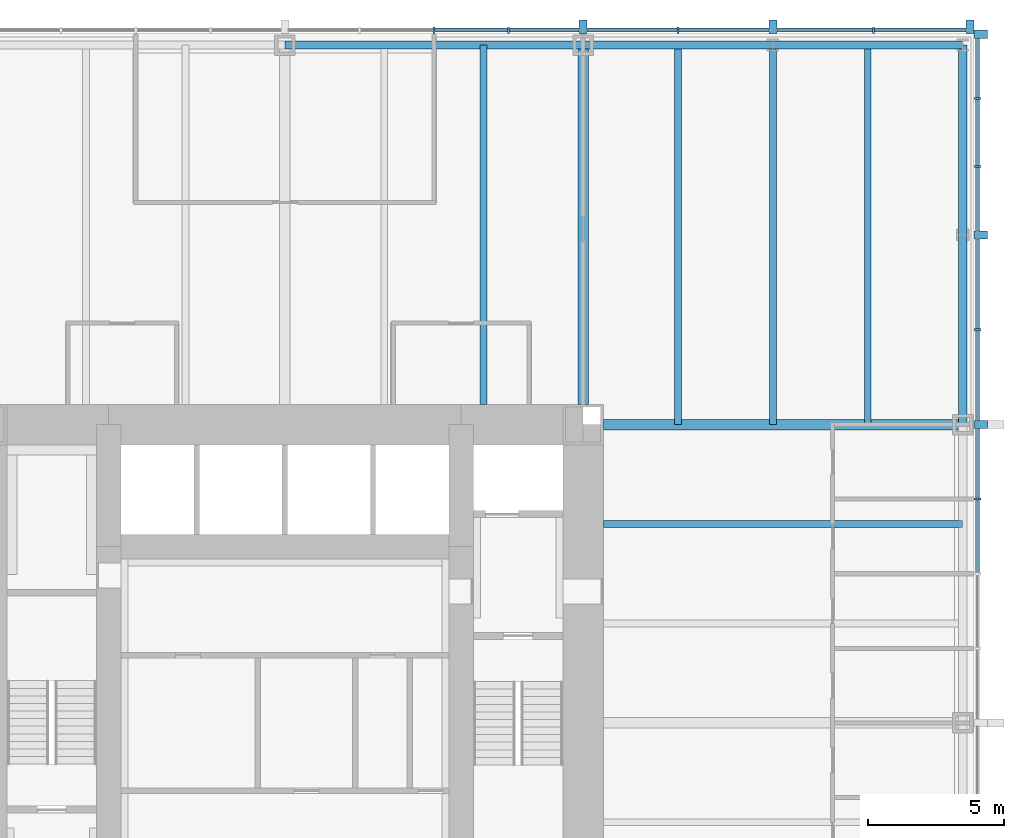
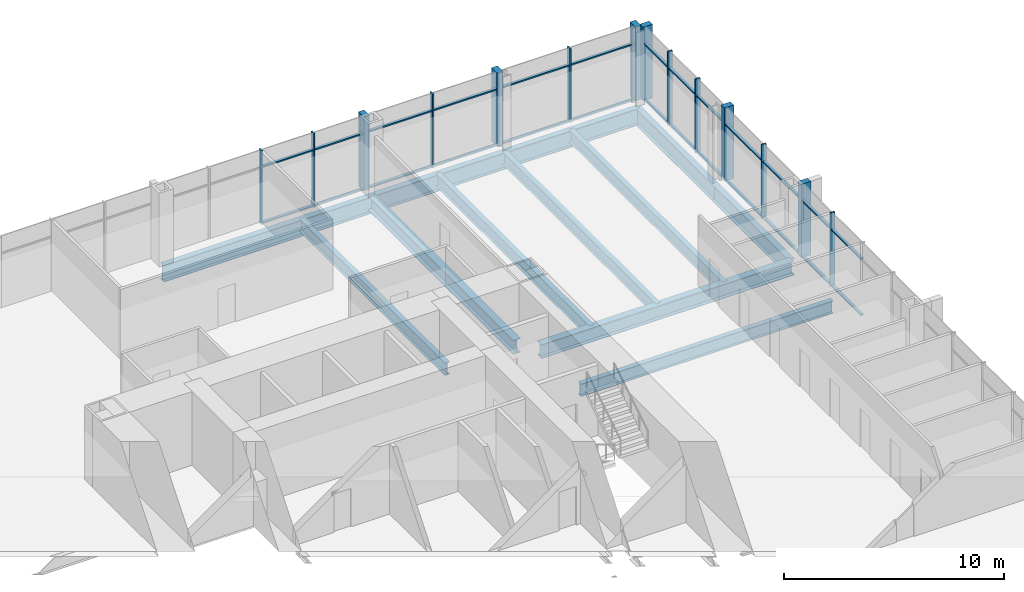
# One storey, part 6 of 13: 40 members, 12 beams, 2 elements without a shape of their own.
"""IFC4 building model written with IfcOpenShell, lengths in metres."""

from ifc_helpers import new_model, si_unit, direction, frame, origin, origin_2d, place, context, subcontext, project, spatial, rectangle, i_section, extrude, material, material_profile, profile_set, type_object, element, aggregate, save


model = new_model("IFC4")

# Units and contexts
model_context = context("Model", 3, precision=1e-05, world=origin(), true_north=direction((0.0, 1.0)))
body_context = subcontext(model_context, "Body", "Model", "MODEL_VIEW")
ifc_project = project(units=[si_unit("LENGTHUNIT", "METRE"), si_unit("AREAUNIT", "SQUARE_METRE"), si_unit("VOLUMEUNIT", "CUBIC_METRE"), si_unit("PLANEANGLEUNIT", "RADIAN"), si_unit("MASSUNIT", "GRAM", prefix="KILO")], contexts=[model_context])

# Site, building, storey
site_placement = place(None, origin())
site = spatial("IfcSite", under=ifc_project, at=site_placement, CompositionType="ELEMENT")
building_placement = place(site_placement, origin())
building = spatial("IfcBuilding", under=site, at=building_placement, Name="Trevanion Tower", CompositionType="ELEMENT")
storey_placement = place(building_placement, frame((0.0, 0.0, 85.699951171875)))
storey = spatial("IfcBuildingStorey", under=building, at=storey_placement, Name="L20", CompositionType="ELEMENT", Elevation=85.699951171875)

# Beams
ifc_material_1 = material(Name="Steel ASTM A992 Grade 50", Category="steel")
ifc_material_profile_1 = material_profile(ifc_material_1, i_section(OverallWidth=0.25390625, OverallDepth=0.700927734375, WebThickness=0.015380859375, FlangeThickness=0.02783203125, at=origin_2d()), Name="W27X129")
ifc_profile_set_1 = profile_set([ifc_material_profile_1], Name="Steel ASTM A992 Grade 50")
beam_type_1 = type_object("IfcBeamType", Name="B3 W27X129", PredefinedType="BEAM", material=ifc_profile_set_1)
for number, where, z_axis, x_axis, name in (
    (1, (11.75, 7.333251953125, -0.54052734375), (1.0, 0.0, 0.0), (0.0, 1.0, 0.0), "B3 L20"),
    (2, (7.333251953125, 11.75, -0.54052734375), (0.0, 1.0, 0.0), (-1.0, 0.0, 0.0), "B3 L20"),
):
    element("IfcBeam", number, at=place(storey_placement, frame(where, z_axis=z_axis, x_axis=x_axis)), inside=storey, type_object=beam_type_1, Name=name, PredefinedType="BEAM", context=body_context, shape_type="SweptSolid", body=[
        extrude(i_section(OverallWidth=0.25390625, OverallDepth=0.700927734375, WebThickness=0.015380859375, FlangeThickness=0.02783203125, at=origin_2d()), origin(), (0.0, 0.0, 1.0), 13.25),
    ])
ifc_material_2 = material(Name="Steel ASTM A992 Grade 50", Category="steel")
ifc_material_profile_2 = material_profile(ifc_material_2, i_section(OverallWidth=0.256591796875, OverallDepth=0.693359375, WebThickness=0.014404296875, FlangeThickness=0.023681640625, at=origin_2d()), Name="W27X114")
ifc_profile_set_2 = profile_set([ifc_material_profile_2], Name="Steel ASTM A992 Grade 50")
beam_type_2 = type_object("IfcBeamType", Name="B4 W27X114", PredefinedType="BEAM", material=ifc_profile_set_2)
for number, where, z_axis, x_axis, name in (
    (3, (14.5, 11.0, -0.53662109375), (0.0, 1.0, 0.0), (-1.0, 0.0, 0.0), "B4 L20"),
    (4, (18.0, 11.0, -0.53662109375), (0.0, 1.0, 0.0), (-1.0, 0.0, 0.0), "B4 L20"),
    (5, (21.5, 11.0, -0.53662109375), (0.0, 1.0, 0.0), (-1.0, 0.0, 0.0), "B4 L20"),
):
    element("IfcBeam", number, at=place(storey_placement, frame(where, z_axis=z_axis, x_axis=x_axis)), inside=storey, type_object=beam_type_2, Name=name, PredefinedType="BEAM", context=body_context, shape_type="SweptSolid", body=[
        extrude(i_section(OverallWidth=0.256591796875, OverallDepth=0.693359375, WebThickness=0.014404296875, FlangeThickness=0.023681640625, at=origin_2d()), origin(), (0.0, 0.0, 1.0), 14.0),
    ])

# Curtain wall, members
ifc_material_3 = material(Name="Aluminium and glass", Category="aluminium")
curtain_wall_type = type_object("IfcCurtainWallType", Name="CW1 curtain wall", PredefinedType="USERDEFINED", material=ifc_material_3)
curtain_wall_1_placement = place(storey_placement, origin())
curtain_wall_1 = element("IfcCurtainWall", 6, at=curtain_wall_1_placement, inside=storey, type_object=curtain_wall_type, Name="CW1 L20 0", ObjectType="UNITISED CURTAIN WALL", PredefinedType="USERDEFINED")
ifc_material_4 = material(Name="Aluminium extrusion, anodised bronze", Category="aluminium")
ifc_material_profile_3 = material_profile(ifc_material_4, rectangle(XDim=0.074951171875, YDim=0.25, at=origin_2d()), Name="CW1 mullion")
ifc_profile_set_3 = profile_set([ifc_material_profile_3], Name="Aluminium extrusion, anodised bronze")
member_type_1 = type_object("IfcMemberType", Name="CW1 mullion", PredefinedType="MULLION", material=ifc_profile_set_3)
member_1_placement = place(storey_placement, frame((25.550048828125, 8.25, -0.18994140625), z_axis=(0.0, 0.0, 1.0), x_axis=(0.0, 1.0, 0.0)))
member_1 = element("IfcMember", 7, at=member_1_placement, type_object=member_type_1, Name="CW1 mullion 12", PredefinedType="MULLION", context=body_context, shape_type="SweptSolid", body=[
    extrude(rectangle(XDim=0.074951171875, YDim=0.25, at=origin_2d()), origin(), (0.0, 0.0, 1.0), 4.10009765625),
])
member_2_placement = place(storey_placement, frame((25.550048828125, 14.5, -0.18994140625), z_axis=(0.0, 0.0, 1.0), x_axis=(0.0, 1.0, 0.0)))
member_2 = element("IfcMember", 8, at=member_2_placement, type_object=member_type_1, Name="CW1 mullion 14", PredefinedType="MULLION", context=body_context, shape_type="SweptSolid", body=[
    extrude(rectangle(XDim=0.074951171875, YDim=0.25, at=origin_2d()), origin(), (0.0, 0.0, 1.0), 4.10009765625),
])
member_3_placement = place(storey_placement, frame((25.550048828125, 20.5166015625, -0.18994140625), z_axis=(0.0, 0.0, 1.0), x_axis=(0.0, 1.0, 0.0)))
member_3 = element("IfcMember", 9, at=member_3_placement, type_object=member_type_1, Name="CW1 mullion 16", PredefinedType="MULLION", context=body_context, shape_type="SweptSolid", body=[
    extrude(rectangle(XDim=0.074951171875, YDim=0.25, at=origin_2d()), origin(), (0.0, 0.0, 1.0), 4.10009765625),
])
member_4_placement = place(storey_placement, frame((25.550048828125, 23.033203125, -0.18994140625), z_axis=(0.0, 0.0, 1.0), x_axis=(0.0, 1.0, 0.0)))
member_4 = element("IfcMember", 10, at=member_4_placement, type_object=member_type_1, Name="CW1 mullion 17", PredefinedType="MULLION", context=body_context, shape_type="SweptSolid", body=[
    extrude(rectangle(XDim=0.074951171875, YDim=0.25, at=origin_2d()), origin(), (0.0, 0.0, 1.0), 4.10009765625),
])

curtain_wall_2_placement = place(storey_placement, origin())
curtain_wall_2 = element("IfcCurtainWall", 11, at=curtain_wall_2_placement, inside=storey, type_object=curtain_wall_type, Name="CW1 L20 1", ObjectType="UNITISED CURTAIN WALL", PredefinedType="USERDEFINED")
member_5_placement = place(storey_placement, frame((21.7099609375, 25.550048828125, -0.18994140625), z_axis=(0.0, 0.0, 1.0), x_axis=(-1.0, 0.0, 0.0)))
member_5 = element("IfcMember", 12, at=member_5_placement, type_object=member_type_1, Name="CW1 mullion 2", PredefinedType="MULLION", context=body_context, shape_type="SweptSolid", body=[
    extrude(rectangle(XDim=0.074951171875, YDim=0.25, at=origin_2d()), origin(), (0.0, 0.0, 1.0), 4.10009765625),
])
member_6_placement = place(storey_placement, frame((14.5, 25.550048828125, -0.18994140625), z_axis=(0.0, 0.0, 1.0), x_axis=(-1.0, 0.0, 0.0)))
member_6 = element("IfcMember", 13, at=member_6_placement, type_object=member_type_1, Name="CW1 mullion 4", PredefinedType="MULLION", context=body_context, shape_type="SweptSolid", body=[
    extrude(rectangle(XDim=0.074951171875, YDim=0.25, at=origin_2d()), origin(), (0.0, 0.0, 1.0), 4.10009765625),
])
member_7_placement = place(storey_placement, frame((8.25, 25.550048828125, -0.18994140625), z_axis=(0.0, 0.0, 1.0), x_axis=(-1.0, 0.0, 0.0)))
member_7 = element("IfcMember", 14, at=member_7_placement, type_object=member_type_1, Name="CW1 mullion 6", PredefinedType="MULLION", context=body_context, shape_type="SweptSolid", body=[
    extrude(rectangle(XDim=0.074951171875, YDim=0.25, at=origin_2d()), origin(), (0.0, 0.0, 1.0), 4.10009765625),
])
member_8_placement = place(storey_placement, frame((5.5, 25.550048828125, -0.18994140625), z_axis=(0.0, 0.0, 1.0), x_axis=(-1.0, 0.0, 0.0)))
member_8 = element("IfcMember", 15, at=member_8_placement, type_object=member_type_1, Name="CW1 mullion 7", PredefinedType="MULLION", context=body_context, shape_type="SweptSolid", body=[
    extrude(rectangle(XDim=0.074951171875, YDim=0.25, at=origin_2d()), origin(), (0.0, 0.0, 1.0), 4.10009765625),
])

# Member
ifc_material_5 = material(Name="Aluminium extrusion, anodised bronze", Category="aluminium")
ifc_material_profile_4 = material_profile(ifc_material_5, rectangle(XDim=0.300048828125, YDim=0.5, at=origin_2d()), Name="CW1 pier mullion")
ifc_profile_set_4 = profile_set([ifc_material_profile_4], Name="Aluminium extrusion, anodised bronze")
member_type_2 = type_object("IfcMemberType", Name="CW1 pier mullion", PredefinedType="MULLION", material=ifc_profile_set_4)
member_9_placement = place(storey_placement, frame((25.675048828125, 11.0, -0.18994140625), z_axis=(0.0, 0.0, 1.0), x_axis=(0.0, 1.0, 0.0)))
member_9 = element("IfcMember", 16, at=member_9_placement, type_object=member_type_2, Name="CW1 pier mullion 13", PredefinedType="MULLION", context=body_context, shape_type="SweptSolid", body=[
    extrude(rectangle(XDim=0.300048828125, YDim=0.5, at=origin_2d()), origin(), (0.0, 0.0, 1.0), 4.10009765625),
])

member_10_placement = place(storey_placement, frame((25.675048828125, 18.0, -0.18994140625), z_axis=(0.0, 0.0, 1.0), x_axis=(0.0, 1.0, 0.0)))
member_10 = element("IfcMember", 17, at=member_10_placement, type_object=member_type_2, Name="CW1 pier mullion 15", PredefinedType="MULLION", context=body_context, shape_type="SweptSolid", body=[
    extrude(rectangle(XDim=0.300048828125, YDim=0.5, at=origin_2d()), origin(), (0.0, 0.0, 1.0), 4.10009765625),
])

member_11_placement = place(storey_placement, frame((25.675048828125, 25.39990234375, -0.18994140625), z_axis=(0.0, 0.0, 1.0), x_axis=(0.0, 1.0, 0.0)))
member_11 = element("IfcMember", 18, at=member_11_placement, type_object=member_type_2, Name="CW1 pier mullion 18", PredefinedType="MULLION", context=body_context, shape_type="SweptSolid", body=[
    extrude(rectangle(XDim=0.300048828125, YDim=0.5, at=origin_2d()), origin(), (0.0, 0.0, 1.0), 4.10009765625),
])

member_12_placement = place(storey_placement, frame((25.27001953125, 25.675048828125, -0.18994140625), z_axis=(0.0, 0.0, 1.0), x_axis=(-1.0, 0.0, 0.0)))
member_12 = element("IfcMember", 19, at=member_12_placement, type_object=member_type_2, Name="CW1 pier mullion 1", PredefinedType="MULLION", context=body_context, shape_type="SweptSolid", body=[
    extrude(rectangle(XDim=0.300048828125, YDim=0.5, at=origin_2d()), origin(), (0.0, 0.0, 1.0), 4.10009765625),
])

member_13_placement = place(storey_placement, frame((18.0, 25.675048828125, -0.18994140625), z_axis=(0.0, 0.0, 1.0), x_axis=(-1.0, 0.0, 0.0)))
member_13 = element("IfcMember", 20, at=member_13_placement, type_object=member_type_2, Name="CW1 pier mullion 3", PredefinedType="MULLION", context=body_context, shape_type="SweptSolid", body=[
    extrude(rectangle(XDim=0.300048828125, YDim=0.5, at=origin_2d()), origin(), (0.0, 0.0, 1.0), 4.10009765625),
])

member_14_placement = place(storey_placement, frame((11.0, 25.675048828125, -0.18994140625), z_axis=(0.0, 0.0, 1.0), x_axis=(-1.0, 0.0, 0.0)))
member_14 = element("IfcMember", 21, at=member_14_placement, type_object=member_type_2, Name="CW1 pier mullion 5", PredefinedType="MULLION", context=body_context, shape_type="SweptSolid", body=[
    extrude(rectangle(XDim=0.300048828125, YDim=0.5, at=origin_2d()), origin(), (0.0, 0.0, 1.0), 4.10009765625),
])

ifc_material_6 = material(Name="Aluminium extrusion, anodised bronze", Category="aluminium")
ifc_material_profile_5 = material_profile(ifc_material_6, rectangle(XDim=0.14990234375, YDim=0.074951171875, at=origin_2d()), Name="CW1 transom")
ifc_profile_set_5 = profile_set([ifc_material_profile_5], Name="Aluminium extrusion, anodised bronze")
member_type_3 = type_object("IfcMemberType", Name="CW1 transom", PredefinedType="USERDEFINED", material=ifc_profile_set_5)
member_15_placement = place(storey_placement, frame((25.550048828125, 5.53759765625, -0.15234375), z_axis=(0.0, 1.0, 0.0), x_axis=(-1.0, 0.0, 0.0)))
member_15 = element("IfcMember", 22, at=member_15_placement, type_object=member_type_3, Name="CW1 transom 11.1", ObjectType="TRANSOM", PredefinedType="USERDEFINED", context=body_context, shape_type="SweptSolid", body=[
    extrude(rectangle(XDim=0.14990234375, YDim=0.074951171875, at=origin_2d()), origin(), (0.0, 0.0, 1.0), 2.6748046875),
])

member_16_placement = place(storey_placement, frame((25.550048828125, 5.53759765625, 2.9599609375), z_axis=(0.0, 1.0, 0.0), x_axis=(-1.0, 0.0, 0.0)))
member_16 = element("IfcMember", 23, at=member_16_placement, type_object=member_type_3, Name="CW1 transom 11.2", ObjectType="TRANSOM", PredefinedType="USERDEFINED", context=body_context, shape_type="SweptSolid", body=[
    extrude(rectangle(XDim=0.14990234375, YDim=0.074951171875, at=origin_2d()), origin(), (0.0, 0.0, 1.0), 2.6748046875),
])

member_17_placement = place(storey_placement, frame((25.550048828125, 8.28759765625, -0.15234375), z_axis=(0.0, 1.0, 0.0), x_axis=(-1.0, 0.0, 0.0)))
member_17 = element("IfcMember", 24, at=member_17_placement, type_object=member_type_3, Name="CW1 transom 12.1", ObjectType="TRANSOM", PredefinedType="USERDEFINED", context=body_context, shape_type="SweptSolid", body=[
    extrude(rectangle(XDim=0.14990234375, YDim=0.074951171875, at=origin_2d()), origin(), (0.0, 0.0, 1.0), 2.5625),
])

member_18_placement = place(storey_placement, frame((25.550048828125, 8.28759765625, 2.9599609375), z_axis=(0.0, 1.0, 0.0), x_axis=(-1.0, 0.0, 0.0)))
member_18 = element("IfcMember", 25, at=member_18_placement, type_object=member_type_3, Name="CW1 transom 12.2", ObjectType="TRANSOM", PredefinedType="USERDEFINED", context=body_context, shape_type="SweptSolid", body=[
    extrude(rectangle(XDim=0.14990234375, YDim=0.074951171875, at=origin_2d()), origin(), (0.0, 0.0, 1.0), 2.5625),
])

member_19_placement = place(storey_placement, frame((25.550048828125, 11.14990234375, -0.15234375), z_axis=(0.0, 1.0, 0.0), x_axis=(-1.0, 0.0, 0.0)))
member_19 = element("IfcMember", 26, at=member_19_placement, type_object=member_type_3, Name="CW1 transom 13.1", ObjectType="TRANSOM", PredefinedType="USERDEFINED", context=body_context, shape_type="SweptSolid", body=[
    extrude(rectangle(XDim=0.14990234375, YDim=0.074951171875, at=origin_2d()), origin(), (0.0, 0.0, 1.0), 3.3125),
])

member_20_placement = place(storey_placement, frame((25.550048828125, 11.14990234375, 2.9599609375), z_axis=(0.0, 1.0, 0.0), x_axis=(-1.0, 0.0, 0.0)))
member_20 = element("IfcMember", 27, at=member_20_placement, type_object=member_type_3, Name="CW1 transom 13.2", ObjectType="TRANSOM", PredefinedType="USERDEFINED", context=body_context, shape_type="SweptSolid", body=[
    extrude(rectangle(XDim=0.14990234375, YDim=0.074951171875, at=origin_2d()), origin(), (0.0, 0.0, 1.0), 3.3125),
])

member_21_placement = place(storey_placement, frame((25.550048828125, 14.53759765625, -0.15234375), z_axis=(0.0, 1.0, 0.0), x_axis=(-1.0, 0.0, 0.0)))
member_21 = element("IfcMember", 28, at=member_21_placement, type_object=member_type_3, Name="CW1 transom 14.1", ObjectType="TRANSOM", PredefinedType="USERDEFINED", context=body_context, shape_type="SweptSolid", body=[
    extrude(rectangle(XDim=0.14990234375, YDim=0.074951171875, at=origin_2d()), origin(), (0.0, 0.0, 1.0), 3.3125),
])

member_22_placement = place(storey_placement, frame((25.550048828125, 14.53759765625, 2.9599609375), z_axis=(0.0, 1.0, 0.0), x_axis=(-1.0, 0.0, 0.0)))
member_22 = element("IfcMember", 29, at=member_22_placement, type_object=member_type_3, Name="CW1 transom 14.2", ObjectType="TRANSOM", PredefinedType="USERDEFINED", context=body_context, shape_type="SweptSolid", body=[
    extrude(rectangle(XDim=0.14990234375, YDim=0.074951171875, at=origin_2d()), origin(), (0.0, 0.0, 1.0), 3.3125),
])

member_23_placement = place(storey_placement, frame((25.550048828125, 18.14990234375, -0.15234375), z_axis=(0.0, 1.0, 0.0), x_axis=(-1.0, 0.0, 0.0)))
member_23 = element("IfcMember", 30, at=member_23_placement, type_object=member_type_3, Name="CW1 transom 15.1", ObjectType="TRANSOM", PredefinedType="USERDEFINED", context=body_context, shape_type="SweptSolid", body=[
    extrude(rectangle(XDim=0.14990234375, YDim=0.074951171875, at=origin_2d()), origin(), (0.0, 0.0, 1.0), 2.329345703125),
])

member_24_placement = place(storey_placement, frame((25.550048828125, 18.14990234375, 2.9599609375), z_axis=(0.0, 1.0, 0.0), x_axis=(-1.0, 0.0, 0.0)))
member_24 = element("IfcMember", 31, at=member_24_placement, type_object=member_type_3, Name="CW1 transom 15.2", ObjectType="TRANSOM", PredefinedType="USERDEFINED", context=body_context, shape_type="SweptSolid", body=[
    extrude(rectangle(XDim=0.14990234375, YDim=0.074951171875, at=origin_2d()), origin(), (0.0, 0.0, 1.0), 2.329345703125),
])

member_25_placement = place(storey_placement, frame((25.550048828125, 20.55419921875, -0.15234375), z_axis=(0.0, 1.0, 0.0), x_axis=(-1.0, 0.0, 0.0)))
member_25 = element("IfcMember", 32, at=member_25_placement, type_object=member_type_3, Name="CW1 transom 16.1", ObjectType="TRANSOM", PredefinedType="USERDEFINED", context=body_context, shape_type="SweptSolid", body=[
    extrude(rectangle(XDim=0.14990234375, YDim=0.074951171875, at=origin_2d()), origin(), (0.0, 0.0, 1.0), 2.441650390625),
])

member_26_placement = place(storey_placement, frame((25.550048828125, 20.55419921875, 2.9599609375), z_axis=(0.0, 1.0, 0.0), x_axis=(-1.0, 0.0, 0.0)))
member_26 = element("IfcMember", 33, at=member_26_placement, type_object=member_type_3, Name="CW1 transom 16.2", ObjectType="TRANSOM", PredefinedType="USERDEFINED", context=body_context, shape_type="SweptSolid", body=[
    extrude(rectangle(XDim=0.14990234375, YDim=0.074951171875, at=origin_2d()), origin(), (0.0, 0.0, 1.0), 2.441650390625),
])

member_27_placement = place(storey_placement, frame((25.550048828125, 23.07080078125, -0.15234375), z_axis=(0.0, 1.0, 0.0), x_axis=(-1.0, 0.0, 0.0)))
member_27 = element("IfcMember", 34, at=member_27_placement, type_object=member_type_3, Name="CW1 transom 17.1", ObjectType="TRANSOM", PredefinedType="USERDEFINED", context=body_context, shape_type="SweptSolid", body=[
    extrude(rectangle(XDim=0.14990234375, YDim=0.074951171875, at=origin_2d()), origin(), (0.0, 0.0, 1.0), 2.17919921875),
])

member_28_placement = place(storey_placement, frame((25.550048828125, 23.07080078125, 2.9599609375), z_axis=(0.0, 1.0, 0.0), x_axis=(-1.0, 0.0, 0.0)))
member_28 = element("IfcMember", 35, at=member_28_placement, type_object=member_type_3, Name="CW1 transom 17.2", ObjectType="TRANSOM", PredefinedType="USERDEFINED", context=body_context, shape_type="SweptSolid", body=[
    extrude(rectangle(XDim=0.14990234375, YDim=0.074951171875, at=origin_2d()), origin(), (0.0, 0.0, 1.0), 2.17919921875),
])

aggregate(curtain_wall_1, [member_1, member_9, member_2, member_10, member_3, member_4, member_11, member_15, member_16, member_17, member_18, member_19, member_20, member_21, member_22, member_23, member_24, member_25, member_26, member_27, member_28])

member_29_placement = place(storey_placement, frame((25.1201171875, 25.550048828125, -0.15234375), z_axis=(-1.0, 0.0, 0.0), x_axis=(0.0, -1.0, 0.0)))
member_29 = element("IfcMember", 36, at=member_29_placement, type_object=member_type_3, Name="CW1 transom 1.1", ObjectType="TRANSOM", PredefinedType="USERDEFINED", context=body_context, shape_type="SweptSolid", body=[
    extrude(rectangle(XDim=0.14990234375, YDim=0.074951171875, at=origin_2d()), origin(), (0.0, 0.0, 1.0), 3.37255859375),
])

member_30_placement = place(storey_placement, frame((25.1201171875, 25.550048828125, 2.9599609375), z_axis=(-1.0, 0.0, 0.0), x_axis=(0.0, -1.0, 0.0)))
member_30 = element("IfcMember", 37, at=member_30_placement, type_object=member_type_3, Name="CW1 transom 1.2", ObjectType="TRANSOM", PredefinedType="USERDEFINED", context=body_context, shape_type="SweptSolid", body=[
    extrude(rectangle(XDim=0.14990234375, YDim=0.074951171875, at=origin_2d()), origin(), (0.0, 0.0, 1.0), 3.37255859375),
])

member_31_placement = place(storey_placement, frame((21.672607421875, 25.550048828125, -0.15234375), z_axis=(-1.0, 0.0, 0.0), x_axis=(0.0, -1.0, 0.0)))
member_31 = element("IfcMember", 38, at=member_31_placement, type_object=member_type_3, Name="CW1 transom 2.1", ObjectType="TRANSOM", PredefinedType="USERDEFINED", context=body_context, shape_type="SweptSolid", body=[
    extrude(rectangle(XDim=0.14990234375, YDim=0.074951171875, at=origin_2d()), origin(), (0.0, 0.0, 1.0), 3.522705078125),
])

member_32_placement = place(storey_placement, frame((21.672607421875, 25.550048828125, 2.9599609375), z_axis=(-1.0, 0.0, 0.0), x_axis=(0.0, -1.0, 0.0)))
member_32 = element("IfcMember", 39, at=member_32_placement, type_object=member_type_3, Name="CW1 transom 2.2", ObjectType="TRANSOM", PredefinedType="USERDEFINED", context=body_context, shape_type="SweptSolid", body=[
    extrude(rectangle(XDim=0.14990234375, YDim=0.074951171875, at=origin_2d()), origin(), (0.0, 0.0, 1.0), 3.522705078125),
])

member_33_placement = place(storey_placement, frame((17.85009765625, 25.550048828125, -0.15234375), z_axis=(-1.0, 0.0, 0.0), x_axis=(0.0, -1.0, 0.0)))
member_33 = element("IfcMember", 40, at=member_33_placement, type_object=member_type_3, Name="CW1 transom 3.1", ObjectType="TRANSOM", PredefinedType="USERDEFINED", context=body_context, shape_type="SweptSolid", body=[
    extrude(rectangle(XDim=0.14990234375, YDim=0.074951171875, at=origin_2d()), origin(), (0.0, 0.0, 1.0), 3.3125),
])

member_34_placement = place(storey_placement, frame((17.85009765625, 25.550048828125, 2.9599609375), z_axis=(-1.0, 0.0, 0.0), x_axis=(0.0, -1.0, 0.0)))
member_34 = element("IfcMember", 41, at=member_34_placement, type_object=member_type_3, Name="CW1 transom 3.2", ObjectType="TRANSOM", PredefinedType="USERDEFINED", context=body_context, shape_type="SweptSolid", body=[
    extrude(rectangle(XDim=0.14990234375, YDim=0.074951171875, at=origin_2d()), origin(), (0.0, 0.0, 1.0), 3.3125),
])

member_35_placement = place(storey_placement, frame((14.46240234375, 25.550048828125, -0.15234375), z_axis=(-1.0, 0.0, 0.0), x_axis=(0.0, -1.0, 0.0)))
member_35 = element("IfcMember", 42, at=member_35_placement, type_object=member_type_3, Name="CW1 transom 4.1", ObjectType="TRANSOM", PredefinedType="USERDEFINED", context=body_context, shape_type="SweptSolid", body=[
    extrude(rectangle(XDim=0.14990234375, YDim=0.074951171875, at=origin_2d()), origin(), (0.0, 0.0, 1.0), 3.3125),
])

member_36_placement = place(storey_placement, frame((14.46240234375, 25.550048828125, 2.9599609375), z_axis=(-1.0, 0.0, 0.0), x_axis=(0.0, -1.0, 0.0)))
member_36 = element("IfcMember", 43, at=member_36_placement, type_object=member_type_3, Name="CW1 transom 4.2", ObjectType="TRANSOM", PredefinedType="USERDEFINED", context=body_context, shape_type="SweptSolid", body=[
    extrude(rectangle(XDim=0.14990234375, YDim=0.074951171875, at=origin_2d()), origin(), (0.0, 0.0, 1.0), 3.3125),
])

member_37_placement = place(storey_placement, frame((10.85009765625, 25.550048828125, -0.15234375), z_axis=(-1.0, 0.0, 0.0), x_axis=(0.0, -1.0, 0.0)))
member_37 = element("IfcMember", 44, at=member_37_placement, type_object=member_type_3, Name="CW1 transom 5.1", ObjectType="TRANSOM", PredefinedType="USERDEFINED", context=body_context, shape_type="SweptSolid", body=[
    extrude(rectangle(XDim=0.14990234375, YDim=0.074951171875, at=origin_2d()), origin(), (0.0, 0.0, 1.0), 2.5625),
])

member_38_placement = place(storey_placement, frame((10.85009765625, 25.550048828125, 2.9599609375), z_axis=(-1.0, 0.0, 0.0), x_axis=(0.0, -1.0, 0.0)))
member_38 = element("IfcMember", 45, at=member_38_placement, type_object=member_type_3, Name="CW1 transom 5.2", ObjectType="TRANSOM", PredefinedType="USERDEFINED", context=body_context, shape_type="SweptSolid", body=[
    extrude(rectangle(XDim=0.14990234375, YDim=0.074951171875, at=origin_2d()), origin(), (0.0, 0.0, 1.0), 2.5625),
])

member_39_placement = place(storey_placement, frame((8.21240234375, 25.550048828125, -0.15234375), z_axis=(-1.0, 0.0, 0.0), x_axis=(0.0, -1.0, 0.0)))
member_39 = element("IfcMember", 46, at=member_39_placement, type_object=member_type_3, Name="CW1 transom 6.1", ObjectType="TRANSOM", PredefinedType="USERDEFINED", context=body_context, shape_type="SweptSolid", body=[
    extrude(rectangle(XDim=0.14990234375, YDim=0.074951171875, at=origin_2d()), origin(), (0.0, 0.0, 1.0), 2.6748046875),
])

member_40_placement = place(storey_placement, frame((8.21240234375, 25.550048828125, 2.9599609375), z_axis=(-1.0, 0.0, 0.0), x_axis=(0.0, -1.0, 0.0)))
member_40 = element("IfcMember", 47, at=member_40_placement, type_object=member_type_3, Name="CW1 transom 6.2", ObjectType="TRANSOM", PredefinedType="USERDEFINED", context=body_context, shape_type="SweptSolid", body=[
    extrude(rectangle(XDim=0.14990234375, YDim=0.074951171875, at=origin_2d()), origin(), (0.0, 0.0, 1.0), 2.6748046875),
])

aggregate(curtain_wall_2, [member_12, member_5, member_13, member_6, member_14, member_7, member_8, member_29, member_30, member_31, member_32, member_33, member_34, member_35, member_36, member_37, member_38, member_39, member_40])

# Beams
ifc_material_7 = material(Name="Steel ASTM A992 Grade 50", Category="steel")
ifc_material_profile_6 = material_profile(ifc_material_7, i_section(OverallWidth=0.381103515625, OverallDepth=0.77978515625, WebThickness=0.01806640625, FlangeThickness=0.0302734375, at=origin_2d()), Name="W30X191")
ifc_profile_set_6 = profile_set([ifc_material_profile_6], Name="Steel ASTM A992 Grade 50")
beam_type_3 = type_object("IfcBeamType", Name="G2 W30X191", PredefinedType="BEAM", material=ifc_profile_set_6)
for number, where, z_axis, x_axis, name in (
    (48, (11.75, 11.0, -0.579833984375), (1.0, 0.0, 0.0), (0.0, 1.0, 0.0), "G2 L20"),
    (49, (11.0, 11.75, -0.579833984375), (0.0, 1.0, 0.0), (-1.0, 0.0, 0.0), "G2 L20"),
):
    element("IfcBeam", number, at=place(storey_placement, frame(where, z_axis=z_axis, x_axis=x_axis)), inside=storey, type_object=beam_type_3, Name=name, PredefinedType="BEAM", context=body_context, shape_type="SweptSolid", body=[
        extrude(i_section(OverallWidth=0.381103515625, OverallDepth=0.77978515625, WebThickness=0.01806640625, FlangeThickness=0.0302734375, at=origin_2d()), origin(), (0.0, 0.0, 1.0), 13.25),
    ])
ifc_material_8 = material(Name="Steel ASTM A992 Grade 50", Category="steel")
ifc_material_profile_7 = material_profile(ifc_material_8, i_section(OverallWidth=0.307373046875, OverallDepth=0.927001953125, WebThickness=0.01953125, FlangeThickness=0.031982421875, at=origin_2d()), Name="W36X194")
ifc_profile_set_7 = profile_set([ifc_material_profile_7], Name="Steel ASTM A992 Grade 50")
beam_type_4 = type_object("IfcBeamType", Name="SB2 W36X194", PredefinedType="SPANDREL", material=ifc_profile_set_7)
for number, where, z_axis, x_axis, name in (
    (50, (25.0, 11.0, -0.653564453125), (0.0, 1.0, 0.0), (-1.0, 0.0, 0.0), "SB2 L20"),
    (51, (25.0, 18.0, -0.653564453125), (0.0, 1.0, 0.0), (-1.0, 0.0, 0.0), "SB2 L20"),
    (52, (25.0, 25.0, -0.653564453125), (-1.0, 0.0, 0.0), (0.0, -1.0, 0.0), "SB2 L20"),
    (53, (18.0, 25.0, -0.653564453125), (-1.0, 0.0, 0.0), (0.0, -1.0, 0.0), "SB2 L20"),
):
    element("IfcBeam", number, at=place(storey_placement, frame(where, z_axis=z_axis, x_axis=x_axis)), inside=storey, type_object=beam_type_4, Name=name, PredefinedType="SPANDREL", context=body_context, shape_type="SweptSolid", body=[
        extrude(i_section(OverallWidth=0.307373046875, OverallDepth=0.927001953125, WebThickness=0.01953125, FlangeThickness=0.031982421875, at=origin_2d()), origin(), (0.0, 0.0, 1.0), 7.0),
    ])
beam_placement = place(storey_placement, frame((11.0, 25.0, -0.653564453125), z_axis=(-1.0, 0.0, 0.0), x_axis=(0.0, -1.0, 0.0)))
element("IfcBeam", 54, at=beam_placement, inside=storey, type_object=beam_type_4, Name="SB2 L20", PredefinedType="SPANDREL", context=body_context, shape_type="SweptSolid", body=[
    extrude(i_section(OverallWidth=0.307373046875, OverallDepth=0.927001953125, WebThickness=0.01953125, FlangeThickness=0.031982421875, at=origin_2d()), origin(), (0.0, 0.0, 1.0), 11.0),
])

save(model, "model.ifc")
